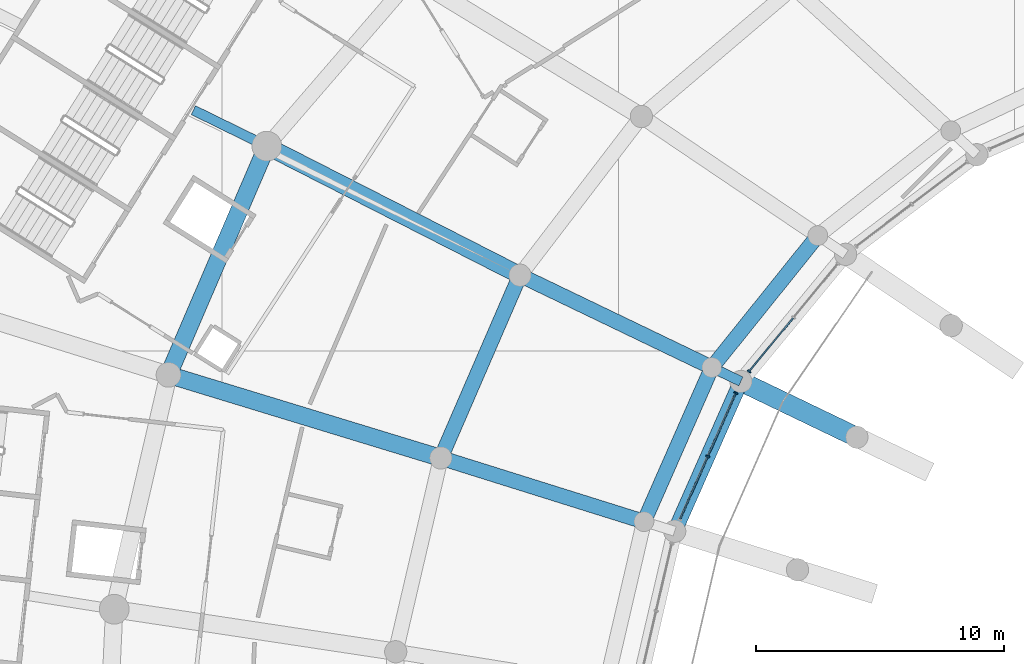
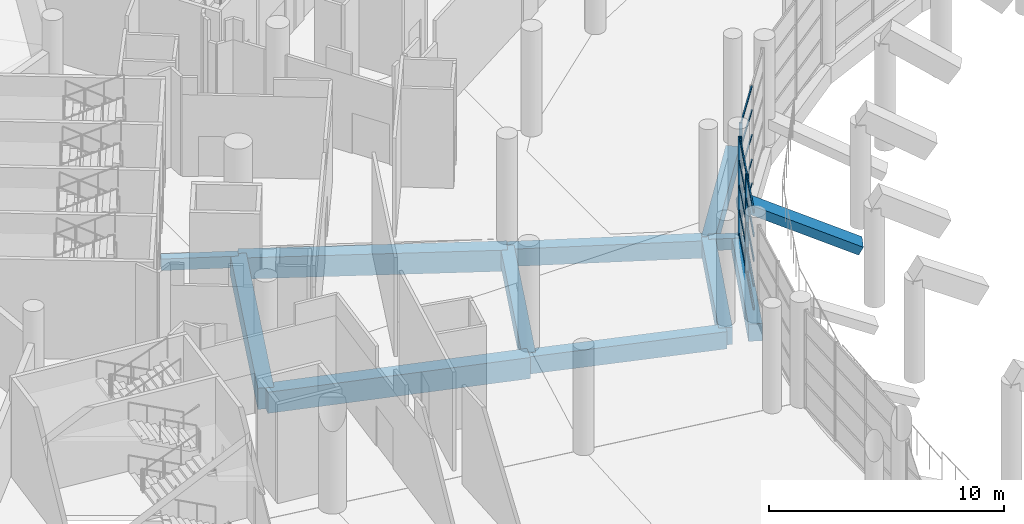
# One storey, part 75 of 271: 18 members, 12 beams, 2 elements without a shape of their own.
"""IFC4 building model written with IfcOpenShell, lengths in metres."""

from ifc_helpers import new_model, si_unit, direction, frame, origin, origin_2d, place, context, subcontext, project, spatial, rectangle, extrude, material, layer, layer_set, material_profile, profile_set, type_object, element, aggregate, save


model = new_model("IFC4")

# Units and contexts
model_context = context("Model", 3, precision=1e-05, world=origin(), true_north=direction((0.0, 1.0)))
body_context = subcontext(model_context, "Body", "Model", "MODEL_VIEW")
ifc_project = project(units=[si_unit("LENGTHUNIT", "METRE"), si_unit("AREAUNIT", "SQUARE_METRE"), si_unit("VOLUMEUNIT", "CUBIC_METRE"), si_unit("PLANEANGLEUNIT", "RADIAN"), si_unit("MASSUNIT", "GRAM", prefix="KILO")], contexts=[model_context])

# Site, building, storey
site_placement = place(None, origin())
site = spatial("IfcSite", under=ifc_project, at=site_placement, CompositionType="ELEMENT")
building_placement = place(site_placement, origin())
building = spatial("IfcBuilding", under=site, at=building_placement, Name="Meseta Stadium", CompositionType="ELEMENT")
storey_placement = place(building_placement, frame((0.0, 0.0, 6.5)))
storey = spatial("IfcBuildingStorey", under=building, at=storey_placement, Name="L01", CompositionType="ELEMENT", Elevation=6.5)

# Curtain wall, member
ifc_material_1 = material(Name="Aluminium", Category="aluminium")
ifc_layer = layer(ifc_material_1, 0.199951171875)
ifc_layer_set = layer_set([ifc_layer], Name="Club glazing curtain wall")
curtain_wall_type = type_object("IfcCurtainWallType", Name="Club glazing curtain wall", PredefinedType="NOTDEFINED", material=ifc_layer_set)
curtain_wall_1_placement = place(storey_placement, origin())
curtain_wall_1 = element("IfcCurtainWall", 1, at=curtain_wall_1_placement, inside=storey, type_object=curtain_wall_type, Name="Club glazing bay 25", PredefinedType="NOTDEFINED")
ifc_material_2 = material(Name="Aluminium", Category="aluminium")
ifc_material_profile_1 = material_profile(ifc_material_2, rectangle(XDim=0.159912109375, YDim=0.06005859375, at=origin_2d()), Name="CW 160x60")
ifc_profile_set_1 = profile_set([ifc_material_profile_1], Name="Aluminium")
member_type_1 = type_object("IfcMemberType", Name="CW mullion 60x160", PredefinedType="MULLION", material=ifc_profile_set_1)
member_1_placement = place(storey_placement, frame((-58.71630859375, 63.170166015625, 0.0), z_axis=(0.0, 0.0, 1.0), x_axis=(0.771902420685, -0.63574102663, 0.0)))
member_1 = element("IfcMember", 2, at=member_1_placement, type_object=member_type_1, Name="CWC mullion 3", PredefinedType="MULLION", context=body_context, shape_type="SweptSolid", body=[
    extrude(rectangle(XDim=0.159912109375, YDim=0.06005859375, at=origin_2d()), origin(), (0.0, 0.0, 1.0), 5.14990234375),
])

# Curtain wall, members
curtain_wall_2_placement = place(storey_placement, origin())
curtain_wall_2 = element("IfcCurtainWall", 3, at=curtain_wall_2_placement, inside=storey, type_object=curtain_wall_type, Name="Club glazing bay 26", PredefinedType="NOTDEFINED")
member_2_placement = place(storey_placement, frame((-59.2548828125, 62.300537109375, 0.0), z_axis=(0.0, 0.0, 1.0), x_axis=(0.914657215102, -0.404230353712, 0.0)))
member_2 = element("IfcMember", 4, at=member_2_placement, type_object=member_type_1, Name="CWC mullion 1", PredefinedType="MULLION", context=body_context, shape_type="SweptSolid", body=[
    extrude(rectangle(XDim=0.159912109375, YDim=0.06005859375, at=origin_2d()), origin(), (0.0, 0.0, 1.0), 5.14990234375),
])
member_3_placement = place(storey_placement, frame((-60.385498046875, 59.7421875, 0.0), z_axis=(0.0, 0.0, 1.0), x_axis=(0.914657215102, -0.404230353712, 0.0)))
member_3 = element("IfcMember", 5, at=member_3_placement, type_object=member_type_1, Name="CWC mullion 2", PredefinedType="MULLION", context=body_context, shape_type="SweptSolid", body=[
    extrude(rectangle(XDim=0.159912109375, YDim=0.06005859375, at=origin_2d()), origin(), (0.0, 0.0, 1.0), 5.14990234375),
])

# Member
ifc_material_3 = material(Name="Aluminium", Category="aluminium")
ifc_material_profile_2 = material_profile(ifc_material_3, rectangle(XDim=0.06005859375, YDim=0.1201171875, at=origin_2d()), Name="CW 60x120")
ifc_profile_set_2 = profile_set([ifc_material_profile_2], Name="Aluminium")
member_type_2 = type_object("IfcMemberType", Name="CW transom 60x120", PredefinedType="USERDEFINED", material=ifc_profile_set_2)
member_4_placement = place(storey_placement, frame((-56.939697265625, 65.327392578125, 0.06005859375), z_axis=(-0.63573511069, -0.771907293032, 0.0), x_axis=(0.771907293032, -0.63573511069, 0.0)))
member_4 = element("IfcMember", 6, at=member_4_placement, type_object=member_type_2, Name="CWC transom 2.1", ObjectType="TRANSOM", PredefinedType="USERDEFINED", context=body_context, shape_type="SweptSolid", body=[
    extrude(rectangle(XDim=0.06005859375, YDim=0.1201171875, at=origin_2d()), origin(), (0.0, 0.0, 1.0), 2.7646484375),
])

member_5_placement = place(storey_placement, frame((-56.939697265625, 65.327392578125, 1.28759765625), z_axis=(-0.63573511069, -0.771907293032, 0.0), x_axis=(0.771907293032, -0.63573511069, 0.0)))
member_5 = element("IfcMember", 7, at=member_5_placement, type_object=member_type_2, Name="CWC transom 2.2", ObjectType="TRANSOM", PredefinedType="USERDEFINED", context=body_context, shape_type="SweptSolid", body=[
    extrude(rectangle(XDim=0.06005859375, YDim=0.1201171875, at=origin_2d()), origin(), (0.0, 0.0, 1.0), 2.7646484375),
])

member_6_placement = place(storey_placement, frame((-56.939697265625, 65.327392578125, 2.574951171875), z_axis=(-0.63573511069, -0.771907293032, 0.0), x_axis=(0.771907293032, -0.63573511069, 0.0)))
member_6 = element("IfcMember", 8, at=member_6_placement, type_object=member_type_2, Name="CWC transom 2.3", ObjectType="TRANSOM", PredefinedType="USERDEFINED", context=body_context, shape_type="SweptSolid", body=[
    extrude(rectangle(XDim=0.06005859375, YDim=0.1201171875, at=origin_2d()), origin(), (0.0, 0.0, 1.0), 2.7646484375),
])

member_7_placement = place(storey_placement, frame((-56.939697265625, 65.327392578125, 3.862548828125), z_axis=(-0.63573511069, -0.771907293032, 0.0), x_axis=(0.771907293032, -0.63573511069, 0.0)))
member_7 = element("IfcMember", 9, at=member_7_placement, type_object=member_type_2, Name="CWC transom 2.4", ObjectType="TRANSOM", PredefinedType="USERDEFINED", context=body_context, shape_type="SweptSolid", body=[
    extrude(rectangle(XDim=0.06005859375, YDim=0.1201171875, at=origin_2d()), origin(), (0.0, 0.0, 1.0), 2.7646484375),
])

member_8_placement = place(storey_placement, frame((-56.939697265625, 65.327392578125, 5.090087890625), z_axis=(-0.63573511069, -0.771907293032, 0.0), x_axis=(0.771907293032, -0.63573511069, 0.0)))
member_8 = element("IfcMember", 10, at=member_8_placement, type_object=member_type_2, Name="CWC transom 2.5", ObjectType="TRANSOM", PredefinedType="USERDEFINED", context=body_context, shape_type="SweptSolid", body=[
    extrude(rectangle(XDim=0.06005859375, YDim=0.1201171875, at=origin_2d()), origin(), (0.0, 0.0, 1.0), 2.7646484375),
])

aggregate(curtain_wall_1, [member_1, member_4, member_5, member_6, member_7, member_8])

member_9_placement = place(storey_placement, frame((-59.266845703125, 62.273193359375, 0.06005859375), z_axis=(-0.404217645264, -0.914662831461, 0.0), x_axis=(0.914662831461, -0.404217645264, 0.0)))
member_9 = element("IfcMember", 11, at=member_9_placement, type_object=member_type_2, Name="CWC transom 1.1", ObjectType="TRANSOM", PredefinedType="USERDEFINED", context=body_context, shape_type="SweptSolid", body=[
    extrude(rectangle(XDim=0.06005859375, YDim=0.1201171875, at=origin_2d()), origin(), (0.0, 0.0, 1.0), 2.7373046875),
])

member_10_placement = place(storey_placement, frame((-59.266845703125, 62.273193359375, 1.28759765625), z_axis=(-0.404217645264, -0.914662831461, 0.0), x_axis=(0.914662831461, -0.404217645264, 0.0)))
member_10 = element("IfcMember", 12, at=member_10_placement, type_object=member_type_2, Name="CWC transom 1.2", ObjectType="TRANSOM", PredefinedType="USERDEFINED", context=body_context, shape_type="SweptSolid", body=[
    extrude(rectangle(XDim=0.06005859375, YDim=0.1201171875, at=origin_2d()), origin(), (0.0, 0.0, 1.0), 2.7373046875),
])

member_11_placement = place(storey_placement, frame((-59.266845703125, 62.273193359375, 2.574951171875), z_axis=(-0.404217645264, -0.914662831461, 0.0), x_axis=(0.914662831461, -0.404217645264, 0.0)))
member_11 = element("IfcMember", 13, at=member_11_placement, type_object=member_type_2, Name="CWC transom 1.3", ObjectType="TRANSOM", PredefinedType="USERDEFINED", context=body_context, shape_type="SweptSolid", body=[
    extrude(rectangle(XDim=0.06005859375, YDim=0.1201171875, at=origin_2d()), origin(), (0.0, 0.0, 1.0), 2.7373046875),
])

member_12_placement = place(storey_placement, frame((-59.266845703125, 62.273193359375, 3.862548828125), z_axis=(-0.404217645264, -0.914662831461, 0.0), x_axis=(0.914662831461, -0.404217645264, 0.0)))
member_12 = element("IfcMember", 14, at=member_12_placement, type_object=member_type_2, Name="CWC transom 1.4", ObjectType="TRANSOM", PredefinedType="USERDEFINED", context=body_context, shape_type="SweptSolid", body=[
    extrude(rectangle(XDim=0.06005859375, YDim=0.1201171875, at=origin_2d()), origin(), (0.0, 0.0, 1.0), 2.7373046875),
])

member_13_placement = place(storey_placement, frame((-59.266845703125, 62.273193359375, 5.090087890625), z_axis=(-0.404217645264, -0.914662831461, 0.0), x_axis=(0.914662831461, -0.404217645264, 0.0)))
member_13 = element("IfcMember", 15, at=member_13_placement, type_object=member_type_2, Name="CWC transom 1.5", ObjectType="TRANSOM", PredefinedType="USERDEFINED", context=body_context, shape_type="SweptSolid", body=[
    extrude(rectangle(XDim=0.06005859375, YDim=0.1201171875, at=origin_2d()), origin(), (0.0, 0.0, 1.0), 2.7373046875),
])

member_14_placement = place(storey_placement, frame((-60.397705078125, 59.71484375, 0.06005859375), z_axis=(-0.404217645264, -0.914662831461, 0.0), x_axis=(0.914662831461, -0.404217645264, 0.0)))
member_14 = element("IfcMember", 16, at=member_14_placement, type_object=member_type_2, Name="CWC transom 2.1", ObjectType="TRANSOM", PredefinedType="USERDEFINED", context=body_context, shape_type="SweptSolid", body=[
    extrude(rectangle(XDim=0.06005859375, YDim=0.1201171875, at=origin_2d()), origin(), (0.0, 0.0, 1.0), 2.7373046875),
])

member_15_placement = place(storey_placement, frame((-60.397705078125, 59.71484375, 1.28759765625), z_axis=(-0.404217645264, -0.914662831461, 0.0), x_axis=(0.914662831461, -0.404217645264, 0.0)))
member_15 = element("IfcMember", 17, at=member_15_placement, type_object=member_type_2, Name="CWC transom 2.2", ObjectType="TRANSOM", PredefinedType="USERDEFINED", context=body_context, shape_type="SweptSolid", body=[
    extrude(rectangle(XDim=0.06005859375, YDim=0.1201171875, at=origin_2d()), origin(), (0.0, 0.0, 1.0), 2.7373046875),
])

member_16_placement = place(storey_placement, frame((-60.397705078125, 59.71484375, 2.574951171875), z_axis=(-0.404217645264, -0.914662831461, 0.0), x_axis=(0.914662831461, -0.404217645264, 0.0)))
member_16 = element("IfcMember", 18, at=member_16_placement, type_object=member_type_2, Name="CWC transom 2.3", ObjectType="TRANSOM", PredefinedType="USERDEFINED", context=body_context, shape_type="SweptSolid", body=[
    extrude(rectangle(XDim=0.06005859375, YDim=0.1201171875, at=origin_2d()), origin(), (0.0, 0.0, 1.0), 2.7373046875),
])

member_17_placement = place(storey_placement, frame((-60.397705078125, 59.71484375, 3.862548828125), z_axis=(-0.404217645264, -0.914662831461, 0.0), x_axis=(0.914662831461, -0.404217645264, 0.0)))
member_17 = element("IfcMember", 19, at=member_17_placement, type_object=member_type_2, Name="CWC transom 2.4", ObjectType="TRANSOM", PredefinedType="USERDEFINED", context=body_context, shape_type="SweptSolid", body=[
    extrude(rectangle(XDim=0.06005859375, YDim=0.1201171875, at=origin_2d()), origin(), (0.0, 0.0, 1.0), 2.7373046875),
])

member_18_placement = place(storey_placement, frame((-60.397705078125, 59.71484375, 5.090087890625), z_axis=(-0.404217645264, -0.914662831461, 0.0), x_axis=(0.914662831461, -0.404217645264, 0.0)))
member_18 = element("IfcMember", 20, at=member_18_placement, type_object=member_type_2, Name="CWC transom 2.5", ObjectType="TRANSOM", PredefinedType="USERDEFINED", context=body_context, shape_type="SweptSolid", body=[
    extrude(rectangle(XDim=0.06005859375, YDim=0.1201171875, at=origin_2d()), origin(), (0.0, 0.0, 1.0), 2.7373046875),
])

aggregate(curtain_wall_2, [member_2, member_3, member_9, member_10, member_11, member_12, member_13, member_14, member_15, member_16, member_17, member_18])

# Beams
ifc_material_4 = material(Name="Concrete C40/50", Category="concrete")
ifc_material_profile_3 = material_profile(ifc_material_4, rectangle(XDim=0.39990234375, YDim=0.60009765625, at=origin_2d()), Name="RC 400x600")
ifc_profile_set_3 = profile_set([ifc_material_profile_3], Name="Concrete C40/50")
beam_type_1 = type_object("IfcBeamType", Name="RC beam 400x600", PredefinedType="BEAM", material=ifc_profile_set_3)
beam_1_placement = place(storey_placement, frame((-59.049072265625, 62.766357421875, -0.64990234375), z_axis=(-0.901186215953, 0.433432121762, 0.0), x_axis=(-0.433432121762, -0.901186215953, 0.0)))
element("IfcBeam", 21, at=beam_1_placement, inside=storey, type_object=beam_type_1, Name="L01 radial beam frame 26 line C to D", PredefinedType="BEAM", context=body_context, shape_type="SweptSolid", body=[
    extrude(rectangle(XDim=0.39990234375, YDim=0.60009765625, at=origin_2d()), origin(), (0.0, 0.0, 1.0), 1.3017578125),
])
beam_2_placement = place(storey_placement, frame((-78.197998046875, 72.27197265625, -0.64990234375), z_axis=(-0.898132346212, 0.439725242267, 0.0), x_axis=(-0.439725242267, -0.898132346212, 0.0)))
element("IfcBeam", 22, at=beam_2_placement, inside=storey, type_object=beam_type_1, Name="L01 radial beam frame 26 line P to R", PredefinedType="BEAM", context=body_context, shape_type="SweptSolid", body=[
    extrude(rectangle(XDim=0.39990234375, YDim=0.60009765625, at=origin_2d()), origin(), (0.0, 0.0, 1.0), 3.306396484375),
])
ifc_material_5 = material(Name="Concrete C40/50", Category="concrete")
ifc_material_profile_4 = material_profile(ifc_material_5, rectangle(XDim=0.60009765625, YDim=0.89990234375, at=origin_2d()), Name="RC 600x900")
ifc_profile_set_4 = profile_set([ifc_material_profile_4], Name="Concrete C40/50")
beam_type_2 = type_object("IfcBeamType", Name="RC beam 600x900", PredefinedType="BEAM", material=ifc_profile_set_4)
beam_3_placement = place(storey_placement, frame((-55.940185546875, 68.658203125, -0.800048828125), z_axis=(-0.626466293445, -0.779448512204, 0.0), x_axis=(0.779448512204, -0.626466293445, 0.0)))
element("IfcBeam", 23, at=beam_3_placement, inside=storey, type_object=beam_type_2, Name="L01 ring beam frame 25 line D", PredefinedType="BEAM", context=body_context, shape_type="SweptSolid", body=[
    extrude(rectangle(XDim=0.60009765625, YDim=0.89990234375, at=origin_2d()), origin(), (0.0, 0.0, 1.0), 6.835205078125),
])
beam_4_placement = place(storey_placement, frame((-59.049072265625, 62.766357421875, -0.800048828125), z_axis=(-0.404223446973, -0.914660267486, 0.0), x_axis=(0.914660267486, -0.404223446973, 0.0)))
element("IfcBeam", 24, at=beam_4_placement, inside=storey, type_object=beam_type_2, Name="L01 ring beam frame 26 line C", PredefinedType="BEAM", context=body_context, shape_type="SweptSolid", body=[
    extrude(rectangle(XDim=0.60009765625, YDim=0.89990234375, at=origin_2d()), origin(), (0.0, 0.0, 1.0), 6.615234375),
])
beam_5_placement = place(storey_placement, frame((-60.22216796875, 63.33056640625, -0.800048828125), z_axis=(-0.402982741988, -0.915207577361, 0.0), x_axis=(0.915207577361, -0.402982741988, 0.0)))
element("IfcBeam", 25, at=beam_5_placement, inside=storey, type_object=beam_type_2, Name="L01 ring beam frame 26 line D", PredefinedType="BEAM", context=body_context, shape_type="SweptSolid", body=[
    extrude(rectangle(XDim=0.60009765625, YDim=0.89990234375, at=origin_2d()), origin(), (0.0, 0.0, 1.0), 6.802978515625),
])
beam_6_placement = place(storey_placement, frame((-67.972412109375, 67.057861328125, -0.800048828125), z_axis=(-0.397502661884, -0.91760102103, 0.0), x_axis=(0.91760102103, -0.397502661884, 0.0)))
element("IfcBeam", 26, at=beam_6_placement, inside=storey, type_object=beam_type_2, Name="L01 ring beam frame 26 line E", PredefinedType="BEAM", context=body_context, shape_type="SweptSolid", body=[
    extrude(rectangle(XDim=0.60009765625, YDim=0.89990234375, at=origin_2d()), origin(), (0.0, 0.0, 1.0), 8.04345703125),
])
for number, where, z_axis, x_axis, name in (
    (27, (-60.22216796875, 63.33056640625, -0.800048828125), (-0.901197200503, 0.433409282094, 0.0), (-0.433409282094, -0.901197200503, 0.0), "L01 radial beam frame 26 line D to E"),
    (28, (-62.963623046875, 57.1044921875, -0.800048828125), (-0.9542027514, 0.299160674588, 0.0), (-0.299160674588, -0.9542027514, 0.0), "L01 radial beam frame 27 line D to E"),
):
    element("IfcBeam", number, at=place(storey_placement, frame(where, z_axis=z_axis, x_axis=x_axis)), inside=storey, type_object=beam_type_2, Name=name, PredefinedType="BEAM", context=body_context, shape_type="SweptSolid", body=[
        extrude(rectangle(XDim=0.60009765625, YDim=0.89990234375, at=origin_2d()), origin(), (0.0, 0.0, 1.0), 8.599853515625),
    ])
ifc_material_6 = material(Name="Concrete C40/50", Category="concrete")
ifc_material_profile_5 = material_profile(ifc_material_6, rectangle(XDim=0.699951171875, YDim=1.10009765625, at=origin_2d()), Name="RC 700x1100")
ifc_profile_set_5 = profile_set([ifc_material_profile_5], Name="Concrete C40/50")
beam_type_3 = type_object("IfcBeamType", Name="RC beam 700x1100", PredefinedType="BEAM", material=ifc_profile_set_5)
beam_7_placement = place(storey_placement, frame((-78.197998046875, 72.27197265625, -0.89990234375), z_axis=(-0.394921198525, -0.918714997676, 0.0), x_axis=(0.918714997676, -0.394921198525, 0.0)))
element("IfcBeam", 29, at=beam_7_placement, inside=storey, type_object=beam_type_3, Name="L01 ring beam frame 26 line P", PredefinedType="BEAM", context=body_context, shape_type="SweptSolid", body=[
    extrude(rectangle(XDim=0.699951171875, YDim=1.10009765625, at=origin_2d()), origin(), (0.0, 0.0, 1.0), 10.0556640625),
])
beam_8_placement = place(storey_placement, frame((-67.972412109375, 67.057861328125, -0.89990234375), z_axis=(-0.890868510984, 0.454261264184, 0.0), x_axis=(-0.454261264184, -0.890868510984, 0.0)))
element("IfcBeam", 30, at=beam_8_placement, inside=storey, type_object=beam_type_3, Name="L01 radial beam frame 26 line E to P", PredefinedType="BEAM", context=body_context, shape_type="SweptSolid", body=[
    extrude(rectangle(XDim=0.699951171875, YDim=1.10009765625, at=origin_2d()), origin(), (0.0, 0.0, 1.0), 11.478271484375),
])
beam_9_placement = place(storey_placement, frame((-71.169677734375, 59.67724609375, -0.89990234375), z_axis=(-0.956461260307, 0.291859311198, 0.0), x_axis=(-0.291859311198, -0.956461260307, 0.0)))
element("IfcBeam", 31, at=beam_9_placement, inside=storey, type_object=beam_type_3, Name="L01 radial beam frame 27 line E to P", PredefinedType="BEAM", context=body_context, shape_type="SweptSolid", body=[
    extrude(rectangle(XDim=0.699951171875, YDim=1.10009765625, at=origin_2d()), origin(), (0.0, 0.0, 1.0), 11.500244140625),
])
ifc_material_7 = material(Name="Concrete C40/50", Category="concrete")
ifc_material_profile_6 = material_profile(ifc_material_7, rectangle(XDim=0.800048828125, YDim=0.449951171875, at=origin_2d()), Name="RC 800x450")
ifc_profile_set_6 = profile_set([ifc_material_profile_6], Name="Concrete C40/50")
beam_type_4 = type_object("IfcBeamType", Name="RC raker lower 800x450", PredefinedType="USERDEFINED", material=ifc_profile_set_6)
beam_10_placement = place(storey_placement, frame((-54.3642578125, 60.513427734375, -1.173583984375), z_axis=(-0.803272012463, 0.386293925218, 0.453355354368), x_axis=(-0.433390534461, -0.90120621649, 0.0)))
element("IfcBeam", 32, at=beam_10_placement, inside=storey, type_object=beam_type_4, Name="Raker lower frame 26 lower tier", ObjectType="RAKER", PredefinedType="USERDEFINED", context=body_context, shape_type="SweptSolid", body=[
    extrude(rectangle(XDim=0.800048828125, YDim=0.449951171875, at=origin_2d()), origin(), (0.0, 0.0, 1.0), 5.832275390625),
])

save(model, "model.ifc")
